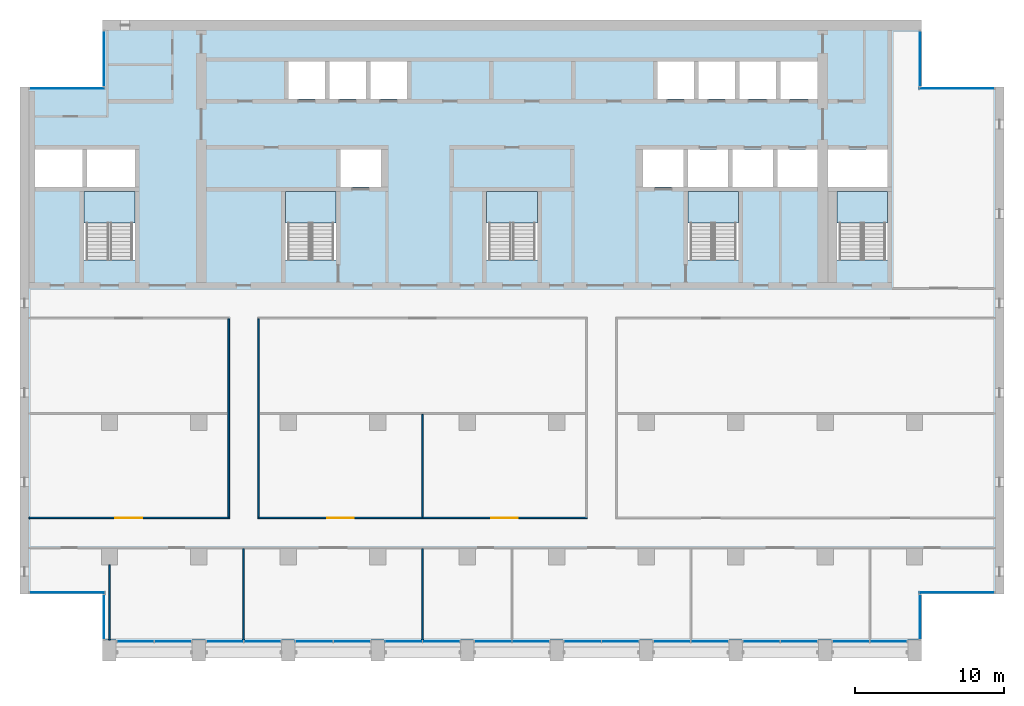
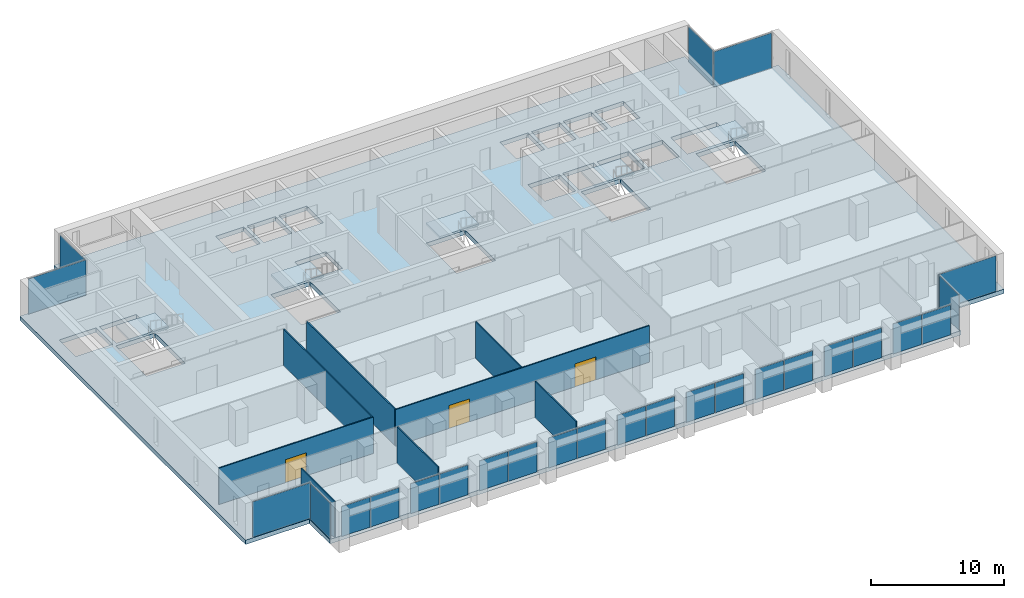
# One storey, part 7 of 17: 26 plates, 8 walls, 6 slabs, 3 doors, 3 openings, 22 elements without a shape of their own.
"""IFC4 building model written with IfcOpenShell, lengths in metres."""

from ifc_helpers import new_model, si_unit, direction, frame, frame_2d, origin, origin_2d, place, context, subcontext, project, spatial, polyline, rectangle, outline, extrude, material, layer, layer_set, type_object, element, fill, aggregate, save


model = new_model("IFC4")

# Units and contexts
model_context = context("Model", 3, precision=1e-05, world=origin(), true_north=direction((0.0, 1.0)))
body_context = subcontext(model_context, "Body", "Model", "MODEL_VIEW")
ifc_project = project(units=[si_unit("LENGTHUNIT", "METRE"), si_unit("AREAUNIT", "SQUARE_METRE"), si_unit("VOLUMEUNIT", "CUBIC_METRE"), si_unit("PLANEANGLEUNIT", "RADIAN"), si_unit("MASSUNIT", "GRAM", prefix="KILO")], contexts=[model_context])

# Site, building, storey
site_placement = place(None, origin())
site = spatial("IfcSite", under=ifc_project, at=site_placement, CompositionType="ELEMENT")
building_placement = place(site_placement, origin())
building = spatial("IfcBuilding", under=site, at=building_placement, Name="Calvaro Tower", CompositionType="ELEMENT")
storey_placement = place(building_placement, frame((0.0, 0.0, 193.0)))
storey = spatial("IfcBuildingStorey", under=building, at=storey_placement, Name="L48", CompositionType="ELEMENT", Elevation=193.0)

# Slab
ifc_material_1 = material(Name="Concrete C40/50", Category="concrete")
ifc_layer_1 = layer(ifc_material_1, 0.39990234375)
ifc_layer_set_1 = layer_set([ifc_layer_1], Name="Concrete C40/50")
slab_type_1 = type_object("IfcSlabType", Name="Floor slab 400 C40/50", PredefinedType="FLOOR", material=ifc_layer_set_1)
slab_1_placement = place(storey_placement, frame((0.0, 0.0, -0.39990234375)))
element("IfcSlab", 1, at=slab_1_placement, inside=storey, type_object=slab_type_1, Name="Floor slab", PredefinedType="FLOOR", context=body_context, shape_type="SweptSolid", body=[
    extrude(outline(polyline([(66.449951171875, 7.5), (66.449951171875, 4.39990234375), (11.550048828125, 4.39990234375), (11.550048828125, 7.5), (6.0, 7.5), (6.0, 41.5), (11.550048828125, 41.5), (11.550048828125, 46.0), (66.449951171875, 46.0), (66.449951171875, 41.5), (72.0, 41.5), (72.0, 7.5), (66.449951171875, 7.5)]), holes=[polyline([(10.300048828125, 29.909912109375), (10.300048828125, 34.5), (12.0, 34.5), (13.699951171875, 34.5), (13.699951171875, 29.909912109375), (12.0, 29.909912109375), (10.300048828125, 29.909912109375)]), polyline([(23.800048828125, 29.909912109375), (23.800048828125, 34.5), (25.5, 34.5), (27.199951171875, 34.5), (27.199951171875, 29.909912109375), (25.5, 29.909912109375), (23.800048828125, 29.909912109375)]), polyline([(37.300048828125, 29.909912109375), (37.300048828125, 34.5), (39.0, 34.5), (40.699951171875, 34.5), (40.699951171875, 29.909912109375), (39.0, 29.909912109375), (37.300048828125, 29.909912109375)]), polyline([(50.800048828125, 29.909912109375), (50.800048828125, 34.5), (52.5, 34.5), (54.199951171875, 34.5), (54.199951171875, 29.909912109375), (52.5, 29.909912109375), (50.800048828125, 29.909912109375)]), polyline([(60.800048828125, 29.909912109375), (60.800048828125, 34.5), (62.5, 34.5), (64.199951171875, 34.5), (64.199951171875, 29.909912109375), (62.5, 29.909912109375), (60.800048828125, 29.909912109375)]), polyline([(50.800048828125, 34.800048828125), (53.5, 34.800048828125), (53.5, 37.300048828125), (50.800048828125, 37.300048828125), (50.800048828125, 34.800048828125)]), polyline([(53.800048828125, 34.800048828125), (56.5, 34.800048828125), (56.5, 37.300048828125), (53.800048828125, 37.300048828125), (53.800048828125, 34.800048828125)]), polyline([(56.800048828125, 34.800048828125), (59.5, 34.800048828125), (59.5, 37.300048828125), (56.800048828125, 37.300048828125), (56.800048828125, 34.800048828125)]), polyline([(24.0, 40.699951171875), (26.449951171875, 40.699951171875), (26.449951171875, 43.199951171875), (24.0, 43.199951171875), (24.0, 40.699951171875)]), polyline([(26.75, 40.699951171875), (29.199951171875, 40.699951171875), (29.199951171875, 43.199951171875), (26.75, 43.199951171875), (26.75, 40.699951171875)]), polyline([(29.5, 40.699951171875), (31.949951171875, 40.699951171875), (31.949951171875, 43.199951171875), (29.5, 43.199951171875), (29.5, 40.699951171875)]), polyline([(48.75, 40.699951171875), (51.199951171875, 40.699951171875), (51.199951171875, 43.199951171875), (48.75, 43.199951171875), (48.75, 40.699951171875)]), polyline([(51.5, 40.699951171875), (53.949951171875, 40.699951171875), (53.949951171875, 43.199951171875), (51.5, 43.199951171875), (51.5, 40.699951171875)]), polyline([(54.25, 40.699951171875), (56.699951171875, 40.699951171875), (56.699951171875, 43.199951171875), (54.25, 43.199951171875), (54.25, 40.699951171875)]), polyline([(57.0, 40.699951171875), (59.5, 40.699951171875), (59.5, 43.199951171875), (57.0, 43.199951171875), (57.0, 40.699951171875)]), polyline([(7.0, 34.800048828125), (10.199951171875, 34.800048828125), (10.199951171875, 37.300048828125), (7.0, 37.300048828125), (7.0, 34.800048828125)]), polyline([(10.5, 34.800048828125), (13.699951171875, 34.800048828125), (13.699951171875, 37.300048828125), (10.5, 37.300048828125), (10.5, 34.800048828125)]), polyline([(60.199951171875, 34.800048828125), (64.199951171875, 34.800048828125), (64.199951171875, 37.300048828125), (60.199951171875, 37.300048828125), (60.199951171875, 34.800048828125)]), polyline([(27.5, 34.800048828125), (30.199951171875, 34.800048828125), (30.199951171875, 37.300048828125), (27.5, 37.300048828125), (27.5, 34.800048828125)]), polyline([(47.800048828125, 34.800048828125), (50.5, 34.800048828125), (50.5, 37.300048828125), (47.800048828125, 37.300048828125), (47.800048828125, 34.800048828125)])]), origin(), (0.0, 0.0, 1.0), 0.39990234375),
])

# Curtain wall, plates
ifc_material_2 = material(Name="Anodised aluminium", Category="aluminium")
curtain_wall_type = type_object("IfcCurtainWallType", Name="Office curtain wall, upper zone", PredefinedType="NOTDEFINED", material=ifc_material_2)
curtain_wall_1_placement = place(storey_placement, origin())
curtain_wall_1 = element("IfcCurtainWall", 2, at=curtain_wall_1_placement, inside=storey, type_object=curtain_wall_type, Name="CW3 south curtain wall", PredefinedType="NOTDEFINED")
ifc_material_3 = material(Name="Glass", Category="glass")
ifc_layer_2 = layer(ifc_material_3, 0.035888671875)
ifc_layer_set_2 = layer_set([ifc_layer_2], Name="Glass")
plate_type = type_object("IfcPlateType", Name="Glass panel S3 36", PredefinedType="CURTAIN_PANEL", material=ifc_layer_set_2)
plate_1_placement = place(storey_placement, frame((13.739990234375, 4.31005859375, 0.0), z_axis=(0.0, 0.0, 1.0), x_axis=(1.0, 0.0, 0.0)))
plate_1 = element("IfcPlate", 3, at=plate_1_placement, type_object=plate_type, Name="CW3 glass panel 1.1", PredefinedType="CURTAIN_PANEL", context=body_context, shape_type="SweptSolid", body=[
    extrude(rectangle(XDim=2.4599609375, YDim=0.035888671875, at=origin_2d()), origin(), (0.0, 0.0, 1.0), 2.75),
])
plate_2_placement = place(storey_placement, frame((16.260009765625, 4.31005859375, 0.0), z_axis=(0.0, 0.0, 1.0), x_axis=(1.0, 0.0, 0.0)))
plate_2 = element("IfcPlate", 4, at=plate_2_placement, type_object=plate_type, Name="CW3 glass panel 2.1", PredefinedType="CURTAIN_PANEL", context=body_context, shape_type="SweptSolid", body=[
    extrude(rectangle(XDim=2.4599609375, YDim=0.035888671875, at=origin_2d()), origin(), (0.0, 0.0, 1.0), 2.75),
])
aggregate(curtain_wall_1, [plate_1, plate_2])

curtain_wall_2_placement = place(storey_placement, origin())
curtain_wall_2 = element("IfcCurtainWall", 5, at=curtain_wall_2_placement, inside=storey, type_object=curtain_wall_type, Name="CW3 south curtain wall", PredefinedType="NOTDEFINED")
plate_3_placement = place(storey_placement, frame((19.739990234375, 4.31005859375, 0.0), z_axis=(0.0, 0.0, 1.0), x_axis=(1.0, 0.0, 0.0)))
plate_3 = element("IfcPlate", 6, at=plate_3_placement, type_object=plate_type, Name="CW3 glass panel 1.1", PredefinedType="CURTAIN_PANEL", context=body_context, shape_type="SweptSolid", body=[
    extrude(rectangle(XDim=2.4599609375, YDim=0.035888671875, at=origin_2d()), origin(), (0.0, 0.0, 1.0), 2.75),
])
plate_4_placement = place(storey_placement, frame((22.260009765625, 4.31005859375, 0.0), z_axis=(0.0, 0.0, 1.0), x_axis=(1.0, 0.0, 0.0)))
plate_4 = element("IfcPlate", 7, at=plate_4_placement, type_object=plate_type, Name="CW3 glass panel 2.1", PredefinedType="CURTAIN_PANEL", context=body_context, shape_type="SweptSolid", body=[
    extrude(rectangle(XDim=2.4599609375, YDim=0.035888671875, at=origin_2d()), origin(), (0.0, 0.0, 1.0), 2.75),
])
aggregate(curtain_wall_2, [plate_3, plate_4])

curtain_wall_3_placement = place(storey_placement, origin())
curtain_wall_3 = element("IfcCurtainWall", 8, at=curtain_wall_3_placement, inside=storey, type_object=curtain_wall_type, Name="CW3 south curtain wall", PredefinedType="NOTDEFINED")
plate_5_placement = place(storey_placement, frame((25.739990234375, 4.31005859375, 0.0), z_axis=(0.0, 0.0, 1.0), x_axis=(1.0, 0.0, 0.0)))
plate_5 = element("IfcPlate", 9, at=plate_5_placement, type_object=plate_type, Name="CW3 glass panel 1.1", PredefinedType="CURTAIN_PANEL", context=body_context, shape_type="SweptSolid", body=[
    extrude(rectangle(XDim=2.4599609375, YDim=0.035888671875, at=origin_2d()), origin(), (0.0, 0.0, 1.0), 2.75),
])
plate_6_placement = place(storey_placement, frame((28.260009765625, 4.31005859375, 0.0), z_axis=(0.0, 0.0, 1.0), x_axis=(1.0, 0.0, 0.0)))
plate_6 = element("IfcPlate", 10, at=plate_6_placement, type_object=plate_type, Name="CW3 glass panel 2.1", PredefinedType="CURTAIN_PANEL", context=body_context, shape_type="SweptSolid", body=[
    extrude(rectangle(XDim=2.4599609375, YDim=0.035888671875, at=origin_2d()), origin(), (0.0, 0.0, 1.0), 2.75),
])
aggregate(curtain_wall_3, [plate_5, plate_6])

curtain_wall_4_placement = place(storey_placement, origin())
curtain_wall_4 = element("IfcCurtainWall", 11, at=curtain_wall_4_placement, inside=storey, type_object=curtain_wall_type, Name="CW3 south curtain wall", PredefinedType="NOTDEFINED")
plate_7_placement = place(storey_placement, frame((31.739990234375, 4.31005859375, 0.0), z_axis=(0.0, 0.0, 1.0), x_axis=(1.0, 0.0, 0.0)))
plate_7 = element("IfcPlate", 12, at=plate_7_placement, type_object=plate_type, Name="CW3 glass panel 1.1", PredefinedType="CURTAIN_PANEL", context=body_context, shape_type="SweptSolid", body=[
    extrude(rectangle(XDim=2.4599609375, YDim=0.035888671875, at=origin_2d()), origin(), (0.0, 0.0, 1.0), 2.75),
])
plate_8_placement = place(storey_placement, frame((34.260009765625, 4.31005859375, 0.0), z_axis=(0.0, 0.0, 1.0), x_axis=(1.0, 0.0, 0.0)))
plate_8 = element("IfcPlate", 13, at=plate_8_placement, type_object=plate_type, Name="CW3 glass panel 2.1", PredefinedType="CURTAIN_PANEL", context=body_context, shape_type="SweptSolid", body=[
    extrude(rectangle(XDim=2.4599609375, YDim=0.035888671875, at=origin_2d()), origin(), (0.0, 0.0, 1.0), 2.75),
])
aggregate(curtain_wall_4, [plate_7, plate_8])

curtain_wall_5_placement = place(storey_placement, origin())
curtain_wall_5 = element("IfcCurtainWall", 14, at=curtain_wall_5_placement, inside=storey, type_object=curtain_wall_type, Name="CW3 south curtain wall", PredefinedType="NOTDEFINED")
plate_9_placement = place(storey_placement, frame((37.739990234375, 4.31005859375, 0.0), z_axis=(0.0, 0.0, 1.0), x_axis=(1.0, 0.0, 0.0)))
plate_9 = element("IfcPlate", 15, at=plate_9_placement, type_object=plate_type, Name="CW3 glass panel 1.1", PredefinedType="CURTAIN_PANEL", context=body_context, shape_type="SweptSolid", body=[
    extrude(rectangle(XDim=2.4599609375, YDim=0.035888671875, at=origin_2d()), origin(), (0.0, 0.0, 1.0), 2.75),
])
plate_10_placement = place(storey_placement, frame((40.260009765625, 4.31005859375, 0.0), z_axis=(0.0, 0.0, 1.0), x_axis=(1.0, 0.0, 0.0)))
plate_10 = element("IfcPlate", 16, at=plate_10_placement, type_object=plate_type, Name="CW3 glass panel 2.1", PredefinedType="CURTAIN_PANEL", context=body_context, shape_type="SweptSolid", body=[
    extrude(rectangle(XDim=2.4599609375, YDim=0.035888671875, at=origin_2d()), origin(), (0.0, 0.0, 1.0), 2.75),
])
aggregate(curtain_wall_5, [plate_9, plate_10])

curtain_wall_6_placement = place(storey_placement, origin())
curtain_wall_6 = element("IfcCurtainWall", 17, at=curtain_wall_6_placement, inside=storey, type_object=curtain_wall_type, Name="CW3 south curtain wall", PredefinedType="NOTDEFINED")
plate_11_placement = place(storey_placement, frame((43.739990234375, 4.31005859375, 0.0), z_axis=(0.0, 0.0, 1.0), x_axis=(1.0, 0.0, 0.0)))
plate_11 = element("IfcPlate", 18, at=plate_11_placement, type_object=plate_type, Name="CW3 glass panel 1.1", PredefinedType="CURTAIN_PANEL", context=body_context, shape_type="SweptSolid", body=[
    extrude(rectangle(XDim=2.4599609375, YDim=0.035888671875, at=origin_2d()), origin(), (0.0, 0.0, 1.0), 2.75),
])
plate_12_placement = place(storey_placement, frame((46.260009765625, 4.31005859375, 0.0), z_axis=(0.0, 0.0, 1.0), x_axis=(1.0, 0.0, 0.0)))
plate_12 = element("IfcPlate", 19, at=plate_12_placement, type_object=plate_type, Name="CW3 glass panel 2.1", PredefinedType="CURTAIN_PANEL", context=body_context, shape_type="SweptSolid", body=[
    extrude(rectangle(XDim=2.4599609375, YDim=0.035888671875, at=origin_2d()), origin(), (0.0, 0.0, 1.0), 2.75),
])
aggregate(curtain_wall_6, [plate_11, plate_12])

curtain_wall_7_placement = place(storey_placement, origin())
curtain_wall_7 = element("IfcCurtainWall", 20, at=curtain_wall_7_placement, inside=storey, type_object=curtain_wall_type, Name="CW3 south curtain wall", PredefinedType="NOTDEFINED")
plate_13_placement = place(storey_placement, frame((49.739990234375, 4.31005859375, 0.0), z_axis=(0.0, 0.0, 1.0), x_axis=(1.0, 0.0, 0.0)))
plate_13 = element("IfcPlate", 21, at=plate_13_placement, type_object=plate_type, Name="CW3 glass panel 1.1", PredefinedType="CURTAIN_PANEL", context=body_context, shape_type="SweptSolid", body=[
    extrude(rectangle(XDim=2.4599609375, YDim=0.035888671875, at=origin_2d()), origin(), (0.0, 0.0, 1.0), 2.75),
])
plate_14_placement = place(storey_placement, frame((52.260009765625, 4.31005859375, 0.0), z_axis=(0.0, 0.0, 1.0), x_axis=(1.0, 0.0, 0.0)))
plate_14 = element("IfcPlate", 22, at=plate_14_placement, type_object=plate_type, Name="CW3 glass panel 2.1", PredefinedType="CURTAIN_PANEL", context=body_context, shape_type="SweptSolid", body=[
    extrude(rectangle(XDim=2.4599609375, YDim=0.035888671875, at=origin_2d()), origin(), (0.0, 0.0, 1.0), 2.75),
])
aggregate(curtain_wall_7, [plate_13, plate_14])

curtain_wall_8_placement = place(storey_placement, origin())
curtain_wall_8 = element("IfcCurtainWall", 23, at=curtain_wall_8_placement, inside=storey, type_object=curtain_wall_type, Name="CW3 south curtain wall", PredefinedType="NOTDEFINED")
plate_15_placement = place(storey_placement, frame((55.739990234375, 4.31005859375, 0.0), z_axis=(0.0, 0.0, 1.0), x_axis=(1.0, 0.0, 0.0)))
plate_15 = element("IfcPlate", 24, at=plate_15_placement, type_object=plate_type, Name="CW3 glass panel 1.1", PredefinedType="CURTAIN_PANEL", context=body_context, shape_type="SweptSolid", body=[
    extrude(rectangle(XDim=2.4599609375, YDim=0.035888671875, at=origin_2d()), origin(), (0.0, 0.0, 1.0), 2.75),
])
plate_16_placement = place(storey_placement, frame((58.260009765625, 4.31005859375, 0.0), z_axis=(0.0, 0.0, 1.0), x_axis=(1.0, 0.0, 0.0)))
plate_16 = element("IfcPlate", 25, at=plate_16_placement, type_object=plate_type, Name="CW3 glass panel 2.1", PredefinedType="CURTAIN_PANEL", context=body_context, shape_type="SweptSolid", body=[
    extrude(rectangle(XDim=2.4599609375, YDim=0.035888671875, at=origin_2d()), origin(), (0.0, 0.0, 1.0), 2.75),
])
aggregate(curtain_wall_8, [plate_15, plate_16])

curtain_wall_9_placement = place(storey_placement, origin())
curtain_wall_9 = element("IfcCurtainWall", 26, at=curtain_wall_9_placement, inside=storey, type_object=curtain_wall_type, Name="CW3 south curtain wall", PredefinedType="NOTDEFINED")
plate_17_placement = place(storey_placement, frame((61.739990234375, 4.31005859375, 0.0), z_axis=(0.0, 0.0, 1.0), x_axis=(1.0, 0.0, 0.0)))
plate_17 = element("IfcPlate", 27, at=plate_17_placement, type_object=plate_type, Name="CW3 glass panel 1.1", PredefinedType="CURTAIN_PANEL", context=body_context, shape_type="SweptSolid", body=[
    extrude(rectangle(XDim=2.4599609375, YDim=0.035888671875, at=origin_2d()), origin(), (0.0, 0.0, 1.0), 2.75),
])
plate_18_placement = place(storey_placement, frame((64.260009765625, 4.31005859375, 0.0), z_axis=(0.0, 0.0, 1.0), x_axis=(1.0, 0.0, 0.0)))
plate_18 = element("IfcPlate", 28, at=plate_18_placement, type_object=plate_type, Name="CW3 glass panel 2.1", PredefinedType="CURTAIN_PANEL", context=body_context, shape_type="SweptSolid", body=[
    extrude(rectangle(XDim=2.4599609375, YDim=0.035888671875, at=origin_2d()), origin(), (0.0, 0.0, 1.0), 2.75),
])
aggregate(curtain_wall_9, [plate_17, plate_18])

# Curtain wall, plate
curtain_wall_10_placement = place(storey_placement, origin())
curtain_wall_10 = element("IfcCurtainWall", 29, at=curtain_wall_10_placement, inside=storey, type_object=curtain_wall_type, Name="CW3 corner curtain wall", PredefinedType="NOTDEFINED")
plate_19_placement = place(storey_placement, frame((11.639892578125, 5.949951171875, 0.0), z_axis=(0.0, 0.0, 1.0), x_axis=(0.0, 1.0, 0.0)))
plate_19 = element("IfcPlate", 30, at=plate_19_placement, type_object=plate_type, Name="CW3 glass panel 1.1", PredefinedType="CURTAIN_PANEL", context=body_context, shape_type="SweptSolid", body=[
    extrude(rectangle(XDim=2.97998046875, YDim=0.035888671875, at=origin_2d()), origin(), (0.0, 0.0, 1.0), 3.25),
])
aggregate(curtain_wall_10, [plate_19])

curtain_wall_11_placement = place(storey_placement, origin())
curtain_wall_11 = element("IfcCurtainWall", 31, at=curtain_wall_11_placement, inside=storey, type_object=curtain_wall_type, Name="CW3 corner curtain wall", PredefinedType="NOTDEFINED")
plate_20_placement = place(storey_placement, frame((9.1650390625, 7.590087890625, 0.0), z_axis=(0.0, 0.0, 1.0), x_axis=(1.0, 0.0, 0.0)))
plate_20 = element("IfcPlate", 32, at=plate_20_placement, type_object=plate_type, Name="CW3 glass panel 1.1", PredefinedType="CURTAIN_PANEL", context=body_context, shape_type="SweptSolid", body=[
    extrude(rectangle(XDim=5.010009765625, YDim=0.035888671875, at=origin_2d()), origin(), (0.0, 0.0, 1.0), 3.25),
])
aggregate(curtain_wall_11, [plate_20])

curtain_wall_12_placement = place(storey_placement, origin())
curtain_wall_12 = element("IfcCurtainWall", 33, at=curtain_wall_12_placement, inside=storey, type_object=curtain_wall_type, Name="CW3 corner curtain wall", PredefinedType="NOTDEFINED")
plate_21_placement = place(storey_placement, frame((11.639892578125, 43.39990234375, 0.0), z_axis=(0.0, 0.0, 1.0), x_axis=(0.0, 1.0, 0.0)))
plate_21 = element("IfcPlate", 34, at=plate_21_placement, type_object=plate_type, Name="CW3 glass panel 1.1", PredefinedType="CURTAIN_PANEL", context=body_context, shape_type="SweptSolid", body=[
    extrude(rectangle(XDim=3.679931640625, YDim=0.035888671875, at=origin_2d()), origin(), (0.0, 0.0, 1.0), 3.25),
])
aggregate(curtain_wall_12, [plate_21])

curtain_wall_13_placement = place(storey_placement, origin())
curtain_wall_13 = element("IfcCurtainWall", 35, at=curtain_wall_13_placement, inside=storey, type_object=curtain_wall_type, Name="CW3 corner curtain wall", PredefinedType="NOTDEFINED")
plate_22_placement = place(storey_placement, frame((9.1650390625, 41.409912109375, 0.0), z_axis=(0.0, 0.0, 1.0), x_axis=(1.0, 0.0, 0.0)))
plate_22 = element("IfcPlate", 36, at=plate_22_placement, type_object=plate_type, Name="CW3 glass panel 1.1", PredefinedType="CURTAIN_PANEL", context=body_context, shape_type="SweptSolid", body=[
    extrude(rectangle(XDim=5.010009765625, YDim=0.035888671875, at=origin_2d()), origin(), (0.0, 0.0, 1.0), 3.25),
])
aggregate(curtain_wall_13, [plate_22])

curtain_wall_14_placement = place(storey_placement, origin())
curtain_wall_14 = element("IfcCurtainWall", 37, at=curtain_wall_14_placement, inside=storey, type_object=curtain_wall_type, Name="CW3 corner curtain wall", PredefinedType="NOTDEFINED")
plate_23_placement = place(storey_placement, frame((66.360107421875, 5.949951171875, 0.0), z_axis=(0.0, 0.0, 1.0), x_axis=(0.0, 1.0, 0.0)))
plate_23 = element("IfcPlate", 38, at=plate_23_placement, type_object=plate_type, Name="CW3 glass panel 1.1", PredefinedType="CURTAIN_PANEL", context=body_context, shape_type="SweptSolid", body=[
    extrude(rectangle(XDim=2.97998046875, YDim=0.035888671875, at=origin_2d()), origin(), (0.0, 0.0, 1.0), 3.25),
])
aggregate(curtain_wall_14, [plate_23])

curtain_wall_15_placement = place(storey_placement, origin())
curtain_wall_15 = element("IfcCurtainWall", 39, at=curtain_wall_15_placement, inside=storey, type_object=curtain_wall_type, Name="CW3 corner curtain wall", PredefinedType="NOTDEFINED")
plate_24_placement = place(storey_placement, frame((68.8349609375, 7.590087890625, 0.0), z_axis=(0.0, 0.0, 1.0), x_axis=(1.0, 0.0, 0.0)))
plate_24 = element("IfcPlate", 40, at=plate_24_placement, type_object=plate_type, Name="CW3 glass panel 1.1", PredefinedType="CURTAIN_PANEL", context=body_context, shape_type="SweptSolid", body=[
    extrude(rectangle(XDim=5.010009765625, YDim=0.035888671875, at=origin_2d()), origin(), (0.0, 0.0, 1.0), 3.25),
])
aggregate(curtain_wall_15, [plate_24])

curtain_wall_16_placement = place(storey_placement, origin())
curtain_wall_16 = element("IfcCurtainWall", 41, at=curtain_wall_16_placement, inside=storey, type_object=curtain_wall_type, Name="CW3 corner curtain wall", PredefinedType="NOTDEFINED")
plate_25_placement = place(storey_placement, frame((66.360107421875, 43.39990234375, 0.0), z_axis=(0.0, 0.0, 1.0), x_axis=(0.0, 1.0, 0.0)))
plate_25 = element("IfcPlate", 42, at=plate_25_placement, type_object=plate_type, Name="CW3 glass panel 1.1", PredefinedType="CURTAIN_PANEL", context=body_context, shape_type="SweptSolid", body=[
    extrude(rectangle(XDim=3.679931640625, YDim=0.035888671875, at=origin_2d()), origin(), (0.0, 0.0, 1.0), 3.25),
])
aggregate(curtain_wall_16, [plate_25])

curtain_wall_17_placement = place(storey_placement, origin())
curtain_wall_17 = element("IfcCurtainWall", 43, at=curtain_wall_17_placement, inside=storey, type_object=curtain_wall_type, Name="CW3 corner curtain wall", PredefinedType="NOTDEFINED")
plate_26_placement = place(storey_placement, frame((68.8349609375, 41.409912109375, 0.0), z_axis=(0.0, 0.0, 1.0), x_axis=(1.0, 0.0, 0.0)))
plate_26 = element("IfcPlate", 44, at=plate_26_placement, type_object=plate_type, Name="CW3 glass panel 1.1", PredefinedType="CURTAIN_PANEL", context=body_context, shape_type="SweptSolid", body=[
    extrude(rectangle(XDim=5.010009765625, YDim=0.035888671875, at=origin_2d()), origin(), (0.0, 0.0, 1.0), 3.25),
])
aggregate(curtain_wall_17, [plate_26])

# Stair, slab
ifc_material_4 = material(Name="Concrete C40/50", Category="concrete")
stair_type = type_object("IfcStairType", Name="Exit stair 1400 2 flights", PredefinedType="HALF_TURN_STAIR", material=ifc_material_4)
stair_1_placement = place(storey_placement, origin())
stair_1 = element("IfcStair", 45, at=stair_1_placement, inside=storey, type_object=stair_type, Name="Exit stair S1", PredefinedType="HALF_TURN_STAIR")
ifc_material_5 = material(Name="Concrete C40/50", Category="concrete")
ifc_layer_3 = layer(ifc_material_5, 0.199951171875)
ifc_layer_set_3 = layer_set([ifc_layer_3], Name="Concrete C40/50")
slab_type_2 = type_object("IfcSlabType", Name="Stair landing", PredefinedType="LANDING", material=ifc_layer_set_3)
slab_2_placement = place(storey_placement, frame((0.0, 0.0, 1.675048828125)))
slab_2 = element("IfcSlab", 46, at=slab_2_placement, type_object=slab_type_2, Name="Exit stair 1, landing 1", PredefinedType="LANDING", context=body_context, shape_type="SweptSolid", body=[
    extrude(outline(polyline([(11.89990234375, 32.389892578125), (10.5, 32.389892578125), (10.5, 32.39990234375), (10.300048828125, 32.39990234375), (10.300048828125, 34.5), (10.5, 34.5), (11.89990234375, 34.5), (12.10009765625, 34.5), (13.5, 34.5), (13.699951171875, 34.5), (13.699951171875, 32.39990234375), (13.5, 32.39990234375), (13.5, 32.389892578125), (12.10009765625, 32.389892578125), (12.10009765625, 32.39990234375), (11.89990234375, 32.39990234375), (11.89990234375, 32.389892578125)])), origin(), (0.0, 0.0, 1.0), 0.199951171875),
])
aggregate(stair_1, [slab_2])

stair_2_placement = place(storey_placement, origin())
stair_2 = element("IfcStair", 47, at=stair_2_placement, inside=storey, type_object=stair_type, Name="Exit stair S2", PredefinedType="HALF_TURN_STAIR")
slab_3_placement = place(storey_placement, frame((0.0, 0.0, 1.675048828125)))
slab_3 = element("IfcSlab", 48, at=slab_3_placement, type_object=slab_type_2, Name="Exit stair 2, landing 1", PredefinedType="LANDING", context=body_context, shape_type="SweptSolid", body=[
    extrude(outline(polyline([(25.39990234375, 32.389892578125), (24.0, 32.389892578125), (24.0, 32.39990234375), (23.800048828125, 32.39990234375), (23.800048828125, 34.5), (24.0, 34.5), (25.39990234375, 34.5), (25.60009765625, 34.5), (27.0, 34.5), (27.199951171875, 34.5), (27.199951171875, 32.39990234375), (27.0, 32.39990234375), (27.0, 32.389892578125), (25.60009765625, 32.389892578125), (25.60009765625, 32.39990234375), (25.39990234375, 32.39990234375), (25.39990234375, 32.389892578125)])), origin(), (0.0, 0.0, 1.0), 0.199951171875),
])
aggregate(stair_2, [slab_3])

stair_3_placement = place(storey_placement, origin())
stair_3 = element("IfcStair", 49, at=stair_3_placement, inside=storey, type_object=stair_type, Name="Exit stair S3", PredefinedType="HALF_TURN_STAIR")
slab_4_placement = place(storey_placement, frame((0.0, 0.0, 1.675048828125)))
slab_4 = element("IfcSlab", 50, at=slab_4_placement, type_object=slab_type_2, Name="Exit stair 3, landing 1", PredefinedType="LANDING", context=body_context, shape_type="SweptSolid", body=[
    extrude(outline(polyline([(38.89990234375, 32.389892578125), (37.5, 32.389892578125), (37.5, 32.39990234375), (37.300048828125, 32.39990234375), (37.300048828125, 34.5), (37.5, 34.5), (38.89990234375, 34.5), (39.10009765625, 34.5), (40.5, 34.5), (40.699951171875, 34.5), (40.699951171875, 32.39990234375), (40.5, 32.39990234375), (40.5, 32.389892578125), (39.10009765625, 32.389892578125), (39.10009765625, 32.39990234375), (38.89990234375, 32.39990234375), (38.89990234375, 32.389892578125)])), origin(), (0.0, 0.0, 1.0), 0.199951171875),
])
aggregate(stair_3, [slab_4])

stair_4_placement = place(storey_placement, origin())
stair_4 = element("IfcStair", 51, at=stair_4_placement, inside=storey, type_object=stair_type, Name="Exit stair S4", PredefinedType="HALF_TURN_STAIR")
slab_5_placement = place(storey_placement, frame((0.0, 0.0, 1.675048828125)))
slab_5 = element("IfcSlab", 52, at=slab_5_placement, type_object=slab_type_2, Name="Exit stair 4, landing 1", PredefinedType="LANDING", context=body_context, shape_type="SweptSolid", body=[
    extrude(outline(polyline([(52.39990234375, 32.389892578125), (51.0, 32.389892578125), (51.0, 32.39990234375), (50.800048828125, 32.39990234375), (50.800048828125, 34.5), (51.0, 34.5), (52.39990234375, 34.5), (52.60009765625, 34.5), (54.0, 34.5), (54.199951171875, 34.5), (54.199951171875, 32.39990234375), (54.0, 32.39990234375), (54.0, 32.389892578125), (52.60009765625, 32.389892578125), (52.60009765625, 32.39990234375), (52.39990234375, 32.39990234375), (52.39990234375, 32.389892578125)])), origin(), (0.0, 0.0, 1.0), 0.199951171875),
])
aggregate(stair_4, [slab_5])

stair_5_placement = place(storey_placement, origin())
stair_5 = element("IfcStair", 53, at=stair_5_placement, inside=storey, type_object=stair_type, Name="Exit stair S5", PredefinedType="HALF_TURN_STAIR")
slab_6_placement = place(storey_placement, frame((0.0, 0.0, 1.675048828125)))
slab_6 = element("IfcSlab", 54, at=slab_6_placement, type_object=slab_type_2, Name="Exit stair 5, landing 1", PredefinedType="LANDING", context=body_context, shape_type="SweptSolid", body=[
    extrude(outline(polyline([(62.39990234375, 32.389892578125), (61.0, 32.389892578125), (61.0, 32.39990234375), (60.800048828125, 32.39990234375), (60.800048828125, 34.5), (61.0, 34.5), (62.39990234375, 34.5), (62.60009765625, 34.5), (64.0, 34.5), (64.199951171875, 34.5), (64.199951171875, 32.39990234375), (64.0, 32.39990234375), (64.0, 32.389892578125), (62.60009765625, 32.389892578125), (62.60009765625, 32.39990234375), (62.39990234375, 32.39990234375), (62.39990234375, 32.389892578125)])), origin(), (0.0, 0.0, 1.0), 0.199951171875),
])
aggregate(stair_5, [slab_6])

# Wall, opening, door
ifc_material_6 = material(Name="Plasterboard on steel studs", Category="steel")
ifc_layer_4 = layer(ifc_material_6, 0.10009765625)
ifc_layer_set_4 = layer_set([ifc_layer_4], Name="Plasterboard on steel studs")
wall_type = type_object("IfcWallType", Name="Partition 100", PredefinedType="PARTITIONING", material=ifc_layer_set_4)
wall_1_placement = place(storey_placement, frame((6.60009765625, 12.60009765625, 0.0), z_axis=(0.0, 0.0, 1.0), x_axis=(1.0, 0.0, 0.0)))
wall_1 = element("IfcWall", 55, at=wall_1_placement, inside=storey, type_object=wall_type, Name="Partition T28.W002", PredefinedType="PARTITIONING", context=body_context, shape_type="SweptSolid", body=[
    extrude(rectangle(XDim=13.449951171875, YDim=0.10009765625, at=frame_2d((6.72509765625, 0.0))), origin(), (0.0, 0.0, 1.0), 3.35009765625),
])
opening_1_placement = place(wall_1_placement, frame((5.800048828125, 0.0, 0.0)))
opening_1 = element("IfcOpeningElement", 56, at=opening_1_placement, cuts=wall_1, Name="Opening T28.008", PredefinedType="OPENING", context=body_context, shape_type="SweptSolid", body=[
    extrude(rectangle(XDim=1.800048828125, YDim=2.10009765625, at=frame_2d((0.89990234375, 1.050048828125))), frame((0.0, 0.06005859375, 0.0), z_axis=(0.0, -1.0, 0.0), x_axis=(1.0, 0.0, 0.0)), (0.0, 0.0, 1.0), 0.1201171875),
])
ifc_material_7 = material(Name="Timber", Category="wood")
door_type = type_object("IfcDoorType", Name="Internal double door 1800 x 2100", OperationType="DOUBLE_DOOR_SINGLE_SWING", PredefinedType="DOOR", material=ifc_material_7)
door_1_placement = place(opening_1_placement, origin())
door_1 = element("IfcDoor", 57, at=door_1_placement, inside=storey, type_object=door_type, Name="Door T28.008", OperationType="DOUBLE_DOOR_SINGLE_SWING", OverallHeight=2.10009765625, OverallWidth=1.800048828125, PredefinedType="DOOR", context=body_context, shape_type="SweptSolid", body=[
    extrude(rectangle(XDim=1.800048828125, YDim=2.10009765625, at=frame_2d((0.89990234375, 1.050048828125))), frame((0.0, 0.02490234375, 0.0), z_axis=(0.0, -1.0, 0.0), x_axis=(1.0, 0.0, 0.0)), (0.0, 0.0, 1.0), 0.050048828125),
])
fill(opening_1, door_1)

# Wall, openings, doors
wall_2_placement = place(storey_placement, frame((21.949951171875, 12.60009765625, 0.0), z_axis=(0.0, 0.0, 1.0), x_axis=(1.0, 0.0, 0.0)))
wall_2 = element("IfcWall", 58, at=wall_2_placement, inside=storey, type_object=wall_type, Name="Partition T28.W003", PredefinedType="PARTITIONING", context=body_context, shape_type="SweptSolid", body=[
    extrude(rectangle(XDim=22.10009765625, YDim=0.10009765625, at=frame_2d((11.050048828125, 0.0))), origin(), (0.0, 0.0, 1.0), 3.35009765625),
])
opening_2_placement = place(wall_2_placement, frame((4.64990234375, 0.0, 0.0)))
opening_2 = element("IfcOpeningElement", 59, at=opening_2_placement, cuts=wall_2, Name="Opening T28.009", PredefinedType="OPENING", context=body_context, shape_type="SweptSolid", body=[
    extrude(rectangle(XDim=1.800048828125, YDim=2.10009765625, at=frame_2d((0.89990234375, 1.050048828125))), frame((0.0, 0.06005859375, 0.0), z_axis=(0.0, -1.0, 0.0), x_axis=(1.0, 0.0, 0.0)), (0.0, 0.0, 1.0), 0.1201171875),
])
opening_3_placement = place(wall_2_placement, frame((15.64990234375, 0.0, 0.0)))
opening_3 = element("IfcOpeningElement", 60, at=opening_3_placement, cuts=wall_2, Name="Opening T28.010", PredefinedType="OPENING", context=body_context, shape_type="SweptSolid", body=[
    extrude(rectangle(XDim=1.800048828125, YDim=2.10009765625, at=frame_2d((0.89990234375, 1.050048828125))), frame((0.0, 0.06005859375, 0.0), z_axis=(0.0, -1.0, 0.0), x_axis=(1.0, 0.0, 0.0)), (0.0, 0.0, 1.0), 0.1201171875),
])
door_2_placement = place(opening_2_placement, origin())
door_2 = element("IfcDoor", 61, at=door_2_placement, inside=storey, type_object=door_type, Name="Door T28.009", OperationType="DOUBLE_DOOR_SINGLE_SWING", OverallHeight=2.10009765625, OverallWidth=1.800048828125, PredefinedType="DOOR", context=body_context, shape_type="SweptSolid", body=[
    extrude(rectangle(XDim=1.800048828125, YDim=2.10009765625, at=frame_2d((0.89990234375, 1.050048828125))), frame((0.0, 0.02490234375, 0.0), z_axis=(0.0, -1.0, 0.0), x_axis=(1.0, 0.0, 0.0)), (0.0, 0.0, 1.0), 0.050048828125),
])
fill(opening_2, door_2)
door_3_placement = place(opening_3_placement, origin())
door_3 = element("IfcDoor", 62, at=door_3_placement, inside=storey, type_object=door_type, Name="Door T28.010", OperationType="DOUBLE_DOOR_SINGLE_SWING", OverallHeight=2.10009765625, OverallWidth=1.800048828125, PredefinedType="DOOR", context=body_context, shape_type="SweptSolid", body=[
    extrude(rectangle(XDim=1.800048828125, YDim=2.10009765625, at=frame_2d((0.89990234375, 1.050048828125))), frame((0.0, 0.02490234375, 0.0), z_axis=(0.0, -1.0, 0.0), x_axis=(1.0, 0.0, 0.0)), (0.0, 0.0, 1.0), 0.050048828125),
])
fill(opening_3, door_3)

# Walls
wall_3_placement = place(storey_placement, frame((12.0, 4.39990234375, 0.0), z_axis=(0.0, 0.0, 1.0), x_axis=(0.0, 1.0, 0.0)))
element("IfcWall", 63, at=wall_3_placement, inside=storey, type_object=wall_type, Name="Partition T28.W012", PredefinedType="PARTITIONING", context=body_context, shape_type="SweptSolid", body=[
    extrude(rectangle(XDim=5.050048828125, YDim=0.10009765625, at=frame_2d((2.52490234375, 0.0))), origin(), (0.0, 0.0, 1.0), 3.35009765625),
])
wall_4_placement = place(storey_placement, frame((20.0, 12.64990234375, 0.0), z_axis=(0.0, 0.0, 1.0), x_axis=(0.0, 1.0, 0.0)))
element("IfcWall", 64, at=wall_4_placement, inside=storey, type_object=wall_type, Name="Partition T28.W013", PredefinedType="PARTITIONING", context=body_context, shape_type="SweptSolid", body=[
    extrude(rectangle(XDim=13.300048828125, YDim=0.10009765625, at=frame_2d((6.64990234375, 0.0))), origin(), (0.0, 0.0, 1.0), 3.35009765625),
])
wall_5_placement = place(storey_placement, frame((21.0, 4.39990234375, 0.0), z_axis=(0.0, 0.0, 1.0), x_axis=(0.0, 1.0, 0.0)))
element("IfcWall", 65, at=wall_5_placement, inside=storey, type_object=wall_type, Name="Partition T28.W014", PredefinedType="PARTITIONING", context=body_context, shape_type="SweptSolid", body=[
    extrude(rectangle(XDim=6.150146484375, YDim=0.10009765625, at=frame_2d((3.0751953125, 0.0))), origin(), (0.0, 0.0, 1.0), 3.35009765625),
])
wall_6_placement = place(storey_placement, frame((22.0, 12.64990234375, 0.0), z_axis=(0.0, 0.0, 1.0), x_axis=(0.0, 1.0, 0.0)))
element("IfcWall", 66, at=wall_6_placement, inside=storey, type_object=wall_type, Name="Partition T28.W015", PredefinedType="PARTITIONING", context=body_context, shape_type="SweptSolid", body=[
    extrude(rectangle(XDim=13.300048828125, YDim=0.10009765625, at=frame_2d((6.64990234375, 0.0))), origin(), (0.0, 0.0, 1.0), 3.35009765625),
])
wall_7_placement = place(storey_placement, frame((33.0, 4.39990234375, 0.0), z_axis=(0.0, 0.0, 1.0), x_axis=(0.0, 1.0, 0.0)))
element("IfcWall", 67, at=wall_7_placement, inside=storey, type_object=wall_type, Name="Partition T28.W016", PredefinedType="PARTITIONING", context=body_context, shape_type="SweptSolid", body=[
    extrude(rectangle(XDim=6.150146484375, YDim=0.10009765625, at=frame_2d((3.0751953125, 0.0))), origin(), (0.0, 0.0, 1.0), 3.35009765625),
])
wall_8_placement = place(storey_placement, frame((33.0, 12.64990234375, 0.0), z_axis=(0.0, 0.0, 1.0), x_axis=(0.0, 1.0, 0.0)))
element("IfcWall", 68, at=wall_8_placement, inside=storey, type_object=wall_type, Name="Partition T28.W017", PredefinedType="PARTITIONING", context=body_context, shape_type="SweptSolid", body=[
    extrude(rectangle(XDim=6.900146484375, YDim=0.10009765625, at=frame_2d((3.4501953125, 0.0))), origin(), (0.0, 0.0, 1.0), 3.35009765625),
])

save(model, "model.ifc")
